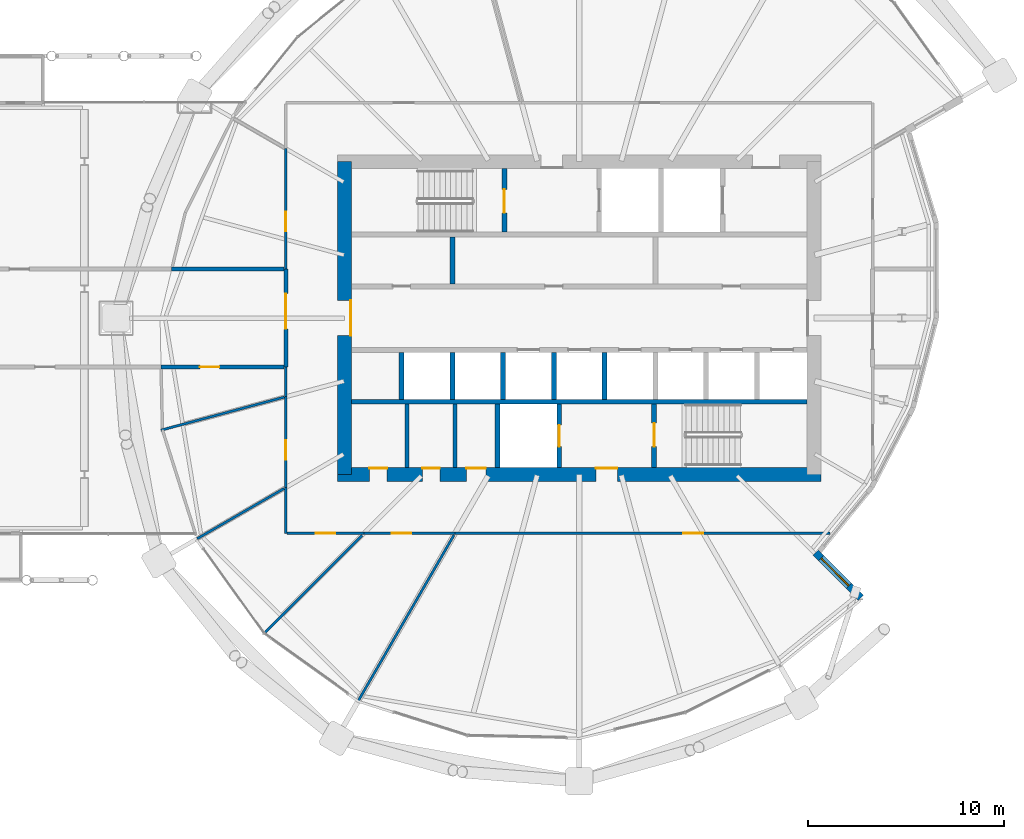
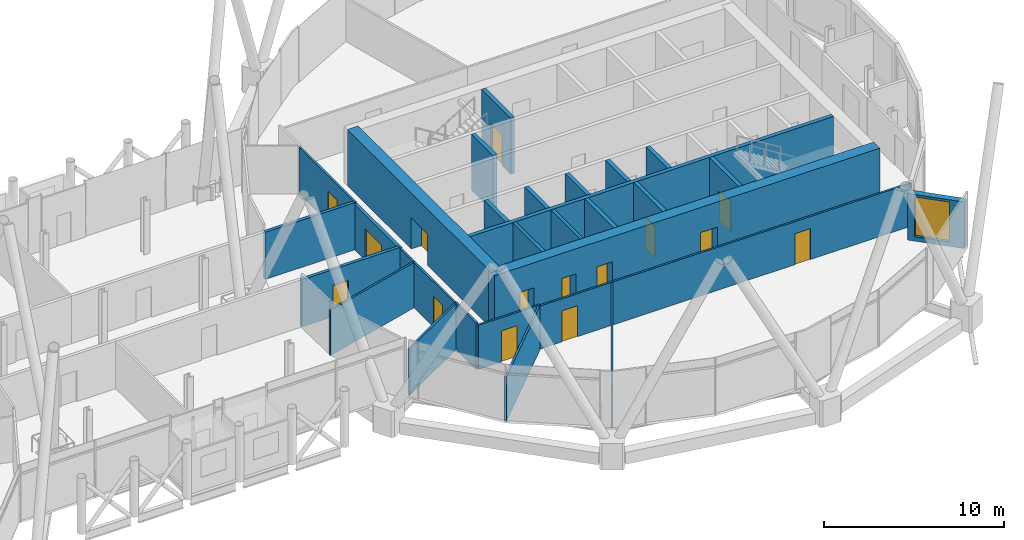
# One storey, part 27 of 35: 30 walls, 15 doors, 1 window, 16 openings.
"""IFC4 building model written with IfcOpenShell, lengths in metres."""

from ifc_helpers import new_model, si_unit, direction, frame, frame_2d, origin, place, context, subcontext, project, spatial, rectangle, extrude, material, layer, layer_set, type_object, element, fill, save


model = new_model("IFC4")

# Units and contexts
model_context = context("Model", 3, precision=1e-05, world=origin(), true_north=direction((0.0, 1.0)))
body_context = subcontext(model_context, "Body", "Model", "MODEL_VIEW")
ifc_project = project(units=[si_unit("LENGTHUNIT", "METRE"), si_unit("AREAUNIT", "SQUARE_METRE"), si_unit("VOLUMEUNIT", "CUBIC_METRE"), si_unit("PLANEANGLEUNIT", "RADIAN"), si_unit("MASSUNIT", "GRAM", prefix="KILO")], contexts=[model_context])

# Site, building, storey
site_placement = place(None, origin())
site = spatial("IfcSite", under=ifc_project, at=site_placement, CompositionType="ELEMENT")
building_placement = place(site_placement, origin())
building = spatial("IfcBuilding", under=site, at=building_placement, Name="Rimbun Link Towers", CompositionType="ELEMENT")
storey_placement = place(building_placement, frame((0.0, 0.0, 146.800048828125)))
storey = spatial("IfcBuildingStorey", under=building, at=storey_placement, Name="L35", CompositionType="ELEMENT", Elevation=146.800048828125)

# Wall, opening, window
ifc_material_1 = material(Name="Dark enamelled glass spandrel on insulated aluminium backpan", Category="aluminium")
ifc_layer_1 = layer(ifc_material_1, 0.3701171875)
ifc_layer_set_1 = layer_set([ifc_layer_1], Name="CS dark enamelled spandrel wall 370")
wall_type_1 = type_object("IfcWallType", Name="CS dark enamelled spandrel wall 370", PredefinedType="STANDARD", material=ifc_layer_set_1)
wall_1_placement = place(storey_placement, frame((43.827880859375, -11.98583984375, 0.0), z_axis=(0.0, 0.0, 1.0), x_axis=(0.707106781187, -0.707106781187, 0.0)))
wall_1 = element("IfcWall", 1, at=wall_1_placement, inside=storey, type_object=wall_type_1, Name="Crease spandrel wall", PredefinedType="STANDARD", context=body_context, shape_type="SweptSolid", body=[
    extrude(rectangle(XDim=3.280029296875, YDim=0.3701171875, at=frame_2d((1.64013671875, 0.0))), origin(), (0.0, 0.0, 1.0), 3.156494140625),
])
opening_1_placement = place(wall_1_placement, frame((0.404296875, 0.0, 0.300048828125)))
opening_1 = element("IfcOpeningElement", 2, at=opening_1_placement, cuts=wall_1, Name="Opening WR20H270", PredefinedType="OPENING", context=body_context, shape_type="SweptSolid", body=[
    extrude(rectangle(XDim=2.0, YDim=2.699951171875, at=frame_2d((1.0, 1.35009765625))), frame((0.0, 0.195068359375, 0.0), z_axis=(0.0, -1.0, 0.0), x_axis=(1.0, 0.0, 0.0)), (0.0, 0.0, 1.0), 0.39013671875),
])
ifc_material_2 = material(Name="Aluminium framed fixed window, dark tinted low-e glass", Category="aluminium")
window_type = type_object("IfcWindowType", Name="WR ribbon window 2000X2700", PartitioningType="SINGLE_PANEL", PredefinedType="WINDOW", material=ifc_material_2)
window_placement = place(opening_1_placement, origin())
window = element("IfcWindow", 3, at=window_placement, inside=storey, type_object=window_type, Name="Crease ribbon window", OverallHeight=2.699951171875, OverallWidth=2.0, PartitioningType="SINGLE_PANEL", PredefinedType="WINDOW", context=body_context, shape_type="SweptSolid", body=[
    extrude(rectangle(XDim=2.0, YDim=2.699951171875, at=frame_2d((1.0, 1.35009765625))), frame((0.0, 0.030029296875, 0.0), z_axis=(0.0, -1.0, 0.0), x_axis=(1.0, 0.0, 0.0)), (0.0, 0.0, 1.0), 0.06005859375),
])
fill(opening_1, window)

# Walls
ifc_material_3 = material(Name="Masonry blockwork", Category="masonry")
ifc_layer_2 = layer(ifc_material_3, 0.199951171875)
ifc_layer_set_2 = layer_set([ifc_layer_2], Name="Core partition 200")
wall_type_2 = type_object("IfcWallType", Name="Core partition 200", PredefinedType="PARTITIONING", material=ifc_layer_set_2)
for number, where, z_axis, x_axis, name in (
    (4, (22.949951171875, -4.39990234375, 0.0), (0.0, 0.0, 1.0), (0.0, -1.0, 0.0), "L35 T2 core wall C1"),
    (5, (25.39990234375, -4.39990234375, 0.0), (0.0, 0.0, 1.0), (0.0, -1.0, 0.0), "L35 T2 core wall C2"),
):
    element("IfcWall", number, at=place(storey_placement, frame(where, z_axis=z_axis, x_axis=x_axis)), inside=storey, type_object=wall_type_2, Name=name, PredefinedType="PARTITIONING", context=body_context, shape_type="SweptSolid", body=[
        extrude(rectangle(XDim=3.25, YDim=0.199951171875, at=frame_2d((1.625, 0.0))), origin(), (0.0, 0.0, 1.0), 3.800048828125),
    ])

# Wall, openings, doors
ifc_material_4 = material(Name="Concrete C60/75", Category="concrete")
ifc_layer_3 = layer(ifc_material_4, 0.699951171875)
ifc_layer_set_3 = layer_set([ifc_layer_3], Name="Core shear wall 700")
wall_type_3 = type_object("IfcWallType", Name="Core shear wall 700", PredefinedType="SHEAR", material=ifc_layer_set_3)
wall_2_placement = place(storey_placement, frame((19.39990234375, -8.0, 0.0), z_axis=(0.0, 0.0, 1.0), x_axis=(1.0, 0.0, 0.0)))
wall_2 = element("IfcWall", 6, at=wall_2_placement, inside=storey, type_object=wall_type_3, Name="L35 T2 core wall S", PredefinedType="SHEAR", context=body_context, shape_type="SweptSolid", body=[
    extrude(rectangle(XDim=24.7001953125, YDim=0.699951171875, at=frame_2d((12.35009765625, 0.0))), origin(), (0.0, 0.0, 1.0), 3.800048828125),
])
opening_2_placement = place(wall_2_placement, frame((13.199951171875, 0.0, 0.0)))
opening_2 = element("IfcOpeningElement", 7, at=opening_2_placement, cuts=wall_2, Name="Opening C2DCF01S", PredefinedType="OPENING", context=body_context, shape_type="SweptSolid", body=[
    extrude(rectangle(XDim=1.10009765625, YDim=2.10009765625, at=frame_2d((0.550048828125, 1.050048828125))), frame((0.0, 0.35986328125, 0.0), z_axis=(0.0, -1.0, 0.0), x_axis=(1.0, 0.0, 0.0)), (0.0, 0.0, 1.0), 0.719970703125),
])
opening_3_placement = place(wall_2_placement, frame((1.625, 0.0, 0.0)))
opening_3 = element("IfcOpeningElement", 8, at=opening_3_placement, cuts=wall_2, Name="Opening C2DWC02S", PredefinedType="OPENING", context=body_context, shape_type="SweptSolid", body=[
    extrude(rectangle(XDim=0.89990234375, YDim=2.10009765625, at=frame_2d((0.449951171875, 1.050048828125))), frame((0.0, 0.35986328125, 0.0), z_axis=(0.0, -1.0, 0.0), x_axis=(1.0, 0.0, 0.0)), (0.0, 0.0, 1.0), 0.719970703125),
])
opening_4_placement = place(wall_2_placement, frame((4.324951171875, 0.0, 0.0)))
opening_4 = element("IfcOpeningElement", 9, at=opening_4_placement, cuts=wall_2, Name="Opening C2DWC03S", PredefinedType="OPENING", context=body_context, shape_type="SweptSolid", body=[
    extrude(rectangle(XDim=0.89990234375, YDim=2.10009765625, at=frame_2d((0.449951171875, 1.050048828125))), frame((0.0, 0.35986328125, 0.0), z_axis=(0.0, -1.0, 0.0), x_axis=(1.0, 0.0, 0.0)), (0.0, 0.0, 1.0), 0.719970703125),
])
opening_5_placement = place(wall_2_placement, frame((6.574951171875, 0.0, 0.0)))
opening_5 = element("IfcOpeningElement", 10, at=opening_5_placement, cuts=wall_2, Name="Opening C2DAW04S", PredefinedType="OPENING", context=body_context, shape_type="SweptSolid", body=[
    extrude(rectangle(XDim=1.0, YDim=2.10009765625, at=frame_2d((0.5, 1.050048828125))), frame((0.0, 0.35986328125, 0.0), z_axis=(0.0, -1.0, 0.0), x_axis=(1.0, 0.0, 0.0)), (0.0, 0.0, 1.0), 0.719970703125),
])
ifc_material_5 = material(Name="Timber", Category="wood")
door_type_1 = type_object("IfcDoorType", Name="Accessible WC door", OperationType="SINGLE_SWING_LEFT", PredefinedType="DOOR", material=ifc_material_5)
door_1_placement = place(opening_5_placement, origin())
door_1 = element("IfcDoor", 11, at=door_1_placement, inside=storey, type_object=door_type_1, Name="L35 T2 accessible wc door", OperationType="SINGLE_SWING_RIGHT", OverallHeight=2.10009765625, OverallWidth=1.0, PredefinedType="DOOR", context=body_context, shape_type="SweptSolid", body=[
    extrude(rectangle(XDim=1.0, YDim=2.10009765625, at=frame_2d((0.5, 1.050048828125))), frame((0.0, 0.35009765625, 0.0), z_axis=(0.0, -1.0, 0.0), x_axis=(1.0, 0.0, 0.0)), (0.0, 0.0, 1.0), 0.050048828125),
])
fill(opening_5, door_1)
ifc_material_6 = material(Name="Steel fire door set", Category="steel")
door_type_2 = type_object("IfcDoorType", Name="Core fire door single", OperationType="SINGLE_SWING_LEFT", PredefinedType="DOOR", material=ifc_material_6)
door_2_placement = place(opening_2_placement, origin())
door_2 = element("IfcDoor", 12, at=door_2_placement, inside=storey, type_object=door_type_2, Name="L35 T2 firefighting lobby s door", OperationType="SINGLE_SWING_RIGHT", OverallHeight=2.10009765625, OverallWidth=1.10009765625, PredefinedType="DOOR", context=body_context, shape_type="SweptSolid", body=[
    extrude(rectangle(XDim=1.10009765625, YDim=2.10009765625, at=frame_2d((0.550048828125, 1.050048828125))), frame((0.0, 0.35009765625, 0.0), z_axis=(0.0, -1.0, 0.0), x_axis=(1.0, 0.0, 0.0)), (0.0, 0.0, 1.0), 0.050048828125),
])
fill(opening_2, door_2)
ifc_material_7 = material(Name="Timber", Category="wood")
door_type_3 = type_object("IfcDoorType", Name="WC door", OperationType="SINGLE_SWING_LEFT", PredefinedType="DOOR", material=ifc_material_7)
door_3_placement = place(opening_3_placement, origin())
door_3 = element("IfcDoor", 13, at=door_3_placement, inside=storey, type_object=door_type_3, Name="L35 T2 male wc door", OperationType="SINGLE_SWING_LEFT", OverallHeight=2.10009765625, OverallWidth=0.89990234375, PredefinedType="DOOR", context=body_context, shape_type="SweptSolid", body=[
    extrude(rectangle(XDim=0.89990234375, YDim=2.10009765625, at=frame_2d((0.449951171875, 1.050048828125))), frame((0.0, 0.35009765625, 0.0), z_axis=(0.0, -1.0, 0.0), x_axis=(1.0, 0.0, 0.0)), (0.0, 0.0, 1.0), 0.050048828125),
])
fill(opening_3, door_3)
door_4_placement = place(opening_4_placement, origin())
door_4 = element("IfcDoor", 14, at=door_4_placement, inside=storey, type_object=door_type_3, Name="L35 T2 female wc door", OperationType="SINGLE_SWING_RIGHT", OverallHeight=2.10009765625, OverallWidth=0.89990234375, PredefinedType="DOOR", context=body_context, shape_type="SweptSolid", body=[
    extrude(rectangle(XDim=0.89990234375, YDim=2.10009765625, at=frame_2d((0.449951171875, 1.050048828125))), frame((0.0, 0.35009765625, 0.0), z_axis=(0.0, -1.0, 0.0), x_axis=(1.0, 0.0, 0.0)), (0.0, 0.0, 1.0), 0.050048828125),
])
fill(opening_4, door_4)

# Wall, opening, door
wall_3_placement = place(storey_placement, frame((19.75, -8.0, 0.0), z_axis=(0.0, 0.0, 1.0), x_axis=(0.0, 1.0, 0.0)))
wall_3 = element("IfcWall", 15, at=wall_3_placement, inside=storey, type_object=wall_type_3, Name="L35 T2 core wall W", PredefinedType="SHEAR", context=body_context, shape_type="SweptSolid", body=[
    extrude(rectangle(XDim=16.0, YDim=0.699951171875, at=frame_2d((8.0, 0.0))), origin(), (0.0, 0.0, 1.0), 3.800048828125),
])
opening_6_placement = place(wall_3_placement, frame((7.10009765625, 0.0, 0.0)))
opening_6 = element("IfcOpeningElement", 16, at=opening_6_placement, cuts=wall_3, Name="Opening C2DCL01W", PredefinedType="OPENING", context=body_context, shape_type="SweptSolid", body=[
    extrude(rectangle(XDim=1.800048828125, YDim=2.10009765625, at=frame_2d((0.89990234375, 1.050048828125))), frame((0.0, 0.35986328125, 0.0), z_axis=(0.0, -1.0, 0.0), x_axis=(1.0, 0.0, 0.0)), (0.0, 0.0, 1.0), 0.719970703125),
])
ifc_material_8 = material(Name="Steel fire door set", Category="steel")
door_type_4 = type_object("IfcDoorType", Name="Core lobby door double", OperationType="DOUBLE_DOOR_SINGLE_SWING", PredefinedType="DOOR", material=ifc_material_8)
door_5_placement = place(opening_6_placement, origin())
door_5 = element("IfcDoor", 17, at=door_5_placement, inside=storey, type_object=door_type_4, Name="L35 T2 lift lobby door", OperationType="DOUBLE_DOOR_SINGLE_SWING", OverallHeight=2.10009765625, OverallWidth=1.800048828125, PredefinedType="DOOR", context=body_context, shape_type="SweptSolid", body=[
    extrude(rectangle(XDim=1.800048828125, YDim=2.10009765625, at=frame_2d((0.89990234375, 1.050048828125))), frame((0.0, -0.2998046875, 0.0), z_axis=(0.0, -1.0, 0.0), x_axis=(1.0, 0.0, 0.0)), (0.0, 0.0, 1.0), 0.050048828125),
])
fill(opening_6, door_5)

ifc_material_9 = material(Name="Concrete blockwork", Category="masonry")
ifc_layer_4 = layer(ifc_material_9, 0.199951171875)
ifc_layer_set_4 = layer_set([ifc_layer_4], Name="Fire partition 200 blockwork")
wall_type_4 = type_object("IfcWallType", Name="Fire partition 200 blockwork", PredefinedType="PARTITIONING", material=ifc_layer_set_4)
wall_4_placement = place(storey_placement, frame((16.75, 2.5, 0.0), z_axis=(0.0, 0.0, 1.0), x_axis=(0.0, -1.0, 0.0)))
wall_4 = element("IfcWall", 18, at=wall_4_placement, inside=storey, type_object=wall_type_4, Name="TW/PW/L35/034", PredefinedType="PARTITIONING", context=body_context, shape_type="SweptSolid", body=[
    extrude(rectangle(XDim=5.0, YDim=0.199951171875, at=frame_2d((2.5, 0.0))), origin(), (0.0, 0.0, 1.0), 3.06689453125),
])
opening_7_placement = place(wall_4_placement, frame((1.2548828125, 0.0, 0.0)))
opening_7 = element("IfcOpeningElement", 19, at=opening_7_placement, cuts=wall_4, Name="Opening TW D35.26", PredefinedType="OPENING", context=body_context, shape_type="SweptSolid", body=[
    extrude(rectangle(XDim=1.800048828125, YDim=2.10009765625, at=frame_2d((0.89990234375, 1.050048828125))), frame((0.0, 0.10986328125, 0.0), z_axis=(0.0, -1.0, 0.0), x_axis=(1.0, 0.0, 0.0)), (0.0, 0.0, 1.0), 0.219970703125),
])
ifc_material_10 = material(Name="Steel fire door set", Category="steel")
door_type_5 = type_object("IfcDoorType", Name="Fire door double leaf 1800 x 2100", OperationType="NOTDEFINED", PredefinedType="DOOR", material=ifc_material_10)
door_6_placement = place(opening_7_placement, origin())
door_6 = element("IfcDoor", 20, at=door_6_placement, inside=storey, type_object=door_type_5, Name="TW/DR/L35/026", OperationType="DOUBLE_DOOR_SINGLE_SWING", OverallHeight=2.10009765625, OverallWidth=1.800048828125, PredefinedType="DOOR", context=body_context, shape_type="SweptSolid", body=[
    extrude(rectangle(XDim=1.800048828125, YDim=2.10009765625, at=frame_2d((0.89990234375, 1.050048828125))), frame((0.0, 0.02490234375, 0.0), z_axis=(0.0, -1.0, 0.0), x_axis=(1.0, 0.0, 0.0)), (0.0, 0.0, 1.0), 0.050048828125),
])
fill(opening_7, door_6)

wall_5_placement = place(storey_placement, frame((10.37158203125, -2.5, 0.0), z_axis=(0.0, 0.0, 1.0), x_axis=(1.0, 0.0, 0.0)))
wall_5 = element("IfcWall", 21, at=wall_5_placement, inside=storey, type_object=wall_type_4, Name="TW/PW/L35/050", PredefinedType="PARTITIONING", context=body_context, shape_type="SweptSolid", body=[
    extrude(rectangle(XDim=6.2783203125, YDim=0.199951171875, at=frame_2d((3.13916015625, 0.0))), origin(), (0.0, 0.0, 1.0), 3.19384765625),
])
opening_8_placement = place(wall_5_placement, frame((1.98193359375, 0.0, 0.0)))
opening_8 = element("IfcOpeningElement", 22, at=opening_8_placement, cuts=wall_5, Name="Opening TW D35.17", PredefinedType="OPENING", context=body_context, shape_type="SweptSolid", body=[
    extrude(rectangle(XDim=1.0, YDim=2.10009765625, at=frame_2d((0.5, 1.050048828125))), frame((0.0, 0.10986328125, 0.0), z_axis=(0.0, -1.0, 0.0), x_axis=(1.0, 0.0, 0.0)), (0.0, 0.0, 1.0), 0.219970703125),
])
ifc_material_11 = material(Name="Steel fire door set", Category="steel")
door_type_6 = type_object("IfcDoorType", Name="Fire door single leaf 1000 x 2100", OperationType="NOTDEFINED", PredefinedType="DOOR", material=ifc_material_11)
door_7_placement = place(opening_8_placement, origin())
door_7 = element("IfcDoor", 23, at=door_7_placement, inside=storey, type_object=door_type_6, Name="TW/DR/L35/017", OperationType="SINGLE_SWING_RIGHT", OverallHeight=2.10009765625, OverallWidth=1.0, PredefinedType="DOOR", context=body_context, shape_type="SweptSolid", body=[
    extrude(rectangle(XDim=1.0, YDim=2.10009765625, at=frame_2d((0.5, 1.050048828125))), frame((0.0, 0.02490234375, 0.0), z_axis=(0.0, -1.0, 0.0), x_axis=(1.0, 0.0, 0.0)), (0.0, 0.0, 1.0), 0.050048828125),
])
fill(opening_8, door_7)

# Wall
wall_6_placement = place(storey_placement, frame((16.64990234375, 2.5, 0.0), z_axis=(0.0, 0.0, 1.0), x_axis=(-1.0, 0.0, 0.0)))
element("IfcWall", 24, at=wall_6_placement, inside=storey, type_object=wall_type_4, Name="TW/PW/L35/051", PredefinedType="PARTITIONING", context=body_context, shape_type="SweptSolid", body=[
    extrude(rectangle(XDim=5.733154296875, YDim=0.199951171875, at=frame_2d((2.86669921875, 0.0))), origin(), (0.0, 0.0, 1.0), 3.19384765625),
])

# Wall, opening, door
ifc_material_12 = material(Name="Gypsum board on steel studs", Category="steel")
ifc_layer_5 = layer(ifc_material_12, 0.125)
ifc_layer_set_5 = layer_set([ifc_layer_5], Name="Partition 125 board on studs")
wall_type_5 = type_object("IfcWallType", Name="Partition 125 board on studs", PredefinedType="PARTITIONING", material=ifc_layer_set_5)
wall_7_placement = place(storey_placement, frame((16.75, -4.019287109375, 0.0), z_axis=(0.0, 0.0, 1.0), x_axis=(0.0, -1.0, 0.0)))
wall_7 = element("IfcWall", 25, at=wall_7_placement, inside=storey, type_object=wall_type_5, Name="TW/PW/L35/035", PredefinedType="PARTITIONING", context=body_context, shape_type="SweptSolid", body=[
    extrude(rectangle(XDim=4.64111328125, YDim=0.125, at=frame_2d((2.320556640625, 0.0))), origin(), (0.0, 0.0, 1.0), 3.06689453125),
])
opening_9_placement = place(wall_7_placement, frame((2.23193359375, 0.0, 0.0)))
opening_9 = element("IfcOpeningElement", 26, at=opening_9_placement, cuts=wall_7, Name="Opening TW D35.09", PredefinedType="OPENING", context=body_context, shape_type="SweptSolid", body=[
    extrude(rectangle(XDim=1.0, YDim=2.10009765625, at=frame_2d((0.5, 1.050048828125))), frame((0.0, 0.072509765625, 0.0), z_axis=(0.0, -1.0, 0.0), x_axis=(1.0, 0.0, 0.0)), (0.0, 0.0, 1.0), 0.14501953125),
])
ifc_material_13 = material(Name="Timber door set", Category="wood")
door_type_7 = type_object("IfcDoorType", Name="Door single leaf 1000 x 2100", OperationType="NOTDEFINED", PredefinedType="DOOR", material=ifc_material_13)
door_8_placement = place(opening_9_placement, origin())
door_8 = element("IfcDoor", 27, at=door_8_placement, inside=storey, type_object=door_type_7, Name="TW/DR/L35/009", OperationType="SINGLE_SWING_RIGHT", OverallHeight=2.10009765625, OverallWidth=1.0, PredefinedType="DOOR", context=body_context, shape_type="SweptSolid", body=[
    extrude(rectangle(XDim=1.0, YDim=2.10009765625, at=frame_2d((0.5, 1.050048828125))), frame((0.0, 0.02490234375, 0.0), z_axis=(0.0, -1.0, 0.0), x_axis=(1.0, 0.0, 0.0)), (0.0, 0.0, 1.0), 0.050048828125),
])
fill(opening_9, door_8)

# Wall
wall_8_placement = place(storey_placement, frame((16.75, -8.660400390625, 0.0), z_axis=(0.0, 0.0, 1.0), x_axis=(0.0, -1.0, 0.0)))
element("IfcWall", 28, at=wall_8_placement, inside=storey, type_object=wall_type_5, Name="TW/PW/L35/036", PredefinedType="PARTITIONING", context=body_context, shape_type="SweptSolid", body=[
    extrude(rectangle(XDim=2.339599609375, YDim=0.125, at=frame_2d((1.169921875, 0.0))), origin(), (0.0, 0.0, 1.0), 3.14697265625),
])

# Wall, opening, door
wall_9_placement = place(storey_placement, frame((16.8125, -11.0, 0.0), z_axis=(0.0, 0.0, 1.0), x_axis=(1.0, 0.0, 0.0)))
wall_9 = element("IfcWall", 29, at=wall_9_placement, inside=storey, type_object=wall_type_5, Name="TW/PW/L35/037", PredefinedType="PARTITIONING", context=body_context, shape_type="SweptSolid", body=[
    extrude(rectangle(XDim=3.9375, YDim=0.125, at=frame_2d((1.96875, 0.0))), origin(), (0.0, 0.0, 1.0), 2.9970703125),
])
opening_10_placement = place(wall_9_placement, frame((1.468994140625, 0.0, 0.0)))
opening_10 = element("IfcOpeningElement", 30, at=opening_10_placement, cuts=wall_9, Name="Opening TW D35.10", PredefinedType="OPENING", context=body_context, shape_type="SweptSolid", body=[
    extrude(rectangle(XDim=1.0, YDim=2.10009765625, at=frame_2d((0.5, 1.050048828125))), frame((0.0, 0.072509765625, 0.0), z_axis=(0.0, -1.0, 0.0), x_axis=(1.0, 0.0, 0.0)), (0.0, 0.0, 1.0), 0.14501953125),
])
door_9_placement = place(opening_10_placement, origin())
door_9 = element("IfcDoor", 31, at=door_9_placement, inside=storey, type_object=door_type_7, Name="TW/DR/L35/010", OperationType="SINGLE_SWING_LEFT", OverallHeight=2.10009765625, OverallWidth=1.0, PredefinedType="DOOR", context=body_context, shape_type="SweptSolid", body=[
    extrude(rectangle(XDim=1.0, YDim=2.10009765625, at=frame_2d((0.5, 1.050048828125))), frame((0.0, 0.02490234375, 0.0), z_axis=(0.0, -1.0, 0.0), x_axis=(1.0, 0.0, 0.0)), (0.0, 0.0, 1.0), 0.050048828125),
])
fill(opening_10, door_9)

wall_10_placement = place(storey_placement, frame((20.75, -11.0, 0.0), z_axis=(0.0, 0.0, 1.0), x_axis=(1.0, 0.0, 0.0)))
wall_10 = element("IfcWall", 32, at=wall_10_placement, inside=storey, type_object=wall_type_5, Name="TW/PW/L35/038", PredefinedType="PARTITIONING", context=body_context, shape_type="SweptSolid", body=[
    extrude(rectangle(XDim=4.649169921875, YDim=0.125, at=frame_2d((2.32470703125, 0.0))), origin(), (0.0, 0.0, 1.0), 2.916015625),
])
opening_11_placement = place(wall_10_placement, frame((1.412109375, 0.0, 0.0)))
opening_11 = element("IfcOpeningElement", 33, at=opening_11_placement, cuts=wall_10, Name="Opening TW D35.11", PredefinedType="OPENING", context=body_context, shape_type="SweptSolid", body=[
    extrude(rectangle(XDim=1.0, YDim=2.10009765625, at=frame_2d((0.5, 1.050048828125))), frame((0.0, 0.072509765625, 0.0), z_axis=(0.0, -1.0, 0.0), x_axis=(1.0, 0.0, 0.0)), (0.0, 0.0, 1.0), 0.14501953125),
])
door_10_placement = place(opening_11_placement, origin())
door_10 = element("IfcDoor", 34, at=door_10_placement, inside=storey, type_object=door_type_7, Name="TW/DR/L35/011", OperationType="SINGLE_SWING_RIGHT", OverallHeight=2.10009765625, OverallWidth=1.0, PredefinedType="DOOR", context=body_context, shape_type="SweptSolid", body=[
    extrude(rectangle(XDim=1.0, YDim=2.10009765625, at=frame_2d((0.5, 1.050048828125))), frame((0.0, 0.02490234375, 0.0), z_axis=(0.0, -1.0, 0.0), x_axis=(1.0, 0.0, 0.0)), (0.0, 0.0, 1.0), 0.050048828125),
])
fill(opening_11, door_10)

wall_11_placement = place(storey_placement, frame((25.399169921875, -11.0, 0.0), z_axis=(0.0, 0.0, 1.0), x_axis=(1.0, 0.0, 0.0)))
wall_11 = element("IfcWall", 35, at=wall_11_placement, inside=storey, type_object=wall_type_5, Name="TW/PW/L35/039", PredefinedType="PARTITIONING", context=body_context, shape_type="SweptSolid", body=[
    extrude(rectangle(XDim=19.176513671875, YDim=0.125, at=frame_2d((9.58837890625, 0.0))), origin(), (0.0, 0.0, 1.0), 2.916015625),
])
opening_12_placement = place(wall_11_placement, frame((11.679931640625, 0.0, 0.0)))
opening_12 = element("IfcOpeningElement", 36, at=opening_12_placement, cuts=wall_11, Name="Opening TW D35.12", PredefinedType="OPENING", context=body_context, shape_type="SweptSolid", body=[
    extrude(rectangle(XDim=1.0, YDim=2.10009765625, at=frame_2d((0.5, 1.050048828125))), frame((0.0, 0.072509765625, 0.0), z_axis=(0.0, -1.0, 0.0), x_axis=(1.0, 0.0, 0.0)), (0.0, 0.0, 1.0), 0.14501953125),
])
door_11_placement = place(opening_12_placement, origin())
door_11 = element("IfcDoor", 37, at=door_11_placement, inside=storey, type_object=door_type_7, Name="TW/DR/L35/012", OperationType="SINGLE_SWING_LEFT", OverallHeight=2.10009765625, OverallWidth=1.0, PredefinedType="DOOR", context=body_context, shape_type="SweptSolid", body=[
    extrude(rectangle(XDim=1.0, YDim=2.10009765625, at=frame_2d((0.5, 1.050048828125))), frame((0.0, 0.02490234375, 0.0), z_axis=(0.0, -1.0, 0.0), x_axis=(1.0, 0.0, 0.0)), (0.0, 0.0, 1.0), 0.050048828125),
])
fill(opening_12, door_11)

# Wall
wall_12_placement = place(storey_placement, frame((16.75, -2.5, 0.0), z_axis=(0.0, 0.0, 1.0), x_axis=(0.0, -1.0, 0.0)))
element("IfcWall", 38, at=wall_12_placement, inside=storey, type_object=wall_type_5, Name="TW/PW/L35/046", PredefinedType="PARTITIONING", context=body_context, shape_type="SweptSolid", body=[
    extrude(rectangle(XDim=1.519287109375, YDim=0.125, at=frame_2d((0.759765625, 0.0))), origin(), (0.0, 0.0, 1.0), 3.06689453125),
])

# Wall, opening, door
wall_13_placement = place(storey_placement, frame((16.75, 8.660400390625, 0.0), z_axis=(0.0, 0.0, 1.0), x_axis=(0.0, -1.0, 0.0)))
wall_13 = element("IfcWall", 39, at=wall_13_placement, inside=storey, type_object=wall_type_5, Name="TW/PW/L35/047", PredefinedType="PARTITIONING", context=body_context, shape_type="SweptSolid", body=[
    extrude(rectangle(XDim=6.160400390625, YDim=0.125, at=frame_2d((3.080078125, 0.0))), origin(), (0.0, 0.0, 1.0), 3.14697265625),
])
opening_13_placement = place(wall_13_placement, frame((3.218994140625, 0.0, 0.0)))
opening_13 = element("IfcOpeningElement", 40, at=opening_13_placement, cuts=wall_13, Name="Opening TW D35.18", PredefinedType="OPENING", context=body_context, shape_type="SweptSolid", body=[
    extrude(rectangle(XDim=1.0, YDim=2.10009765625, at=frame_2d((0.5, 1.050048828125))), frame((0.0, 0.072509765625, 0.0), z_axis=(0.0, -1.0, 0.0), x_axis=(1.0, 0.0, 0.0)), (0.0, 0.0, 1.0), 0.14501953125),
])
door_12_placement = place(opening_13_placement, origin())
door_12 = element("IfcDoor", 41, at=door_12_placement, inside=storey, type_object=door_type_7, Name="TW/DR/L35/018", OperationType="SINGLE_SWING_LEFT", OverallHeight=2.10009765625, OverallWidth=1.0, PredefinedType="DOOR", context=body_context, shape_type="SweptSolid", body=[
    extrude(rectangle(XDim=1.0, YDim=2.10009765625, at=frame_2d((0.5, 1.050048828125))), frame((0.0, 0.02490234375, 0.0), z_axis=(0.0, -1.0, 0.0), x_axis=(1.0, 0.0, 0.0)), (0.0, 0.0, 1.0), 0.050048828125),
])
fill(opening_13, door_12)

# Walls
wall_14_placement = place(storey_placement, frame((12.210693359375, -11.281005859375, 0.0), z_axis=(0.0, 0.0, 1.0), x_axis=(0.866024807616, 0.500001032592, 0.0)))
element("IfcWall", 42, at=wall_14_placement, inside=storey, type_object=wall_type_5, Name="TW/PW/L35/052", PredefinedType="PARTITIONING", context=body_context, shape_type="SweptSolid", body=[
    extrude(rectangle(XDim=5.13330078125, YDim=0.125, at=frame_2d((2.566650390625, 0.0))), origin(), (0.0, 0.0, 1.0), 3.14697265625),
])
wall_15_placement = place(storey_placement, frame((16.67138671875, -4.040283203125, 0.0), z_axis=(0.0, 0.0, 1.0), x_axis=(-0.965924695018, -0.258823267025, 0.0)))
element("IfcWall", 43, at=wall_15_placement, inside=storey, type_object=wall_type_5, Name="TW/PW/L35/053", PredefinedType="PARTITIONING", context=body_context, shape_type="SweptSolid", body=[
    extrude(rectangle(XDim=6.5322265625, YDim=0.125, at=frame_2d((3.26611328125, 0.0))), origin(), (0.0, 0.0, 1.0), 3.06689453125),
])
wall_16_placement = place(storey_placement, frame((15.604248046875, -16.145751953125, 0.0), z_axis=(0.0, 0.0, 1.0), x_axis=(0.707106781187, 0.707106781187, 0.0)))
element("IfcWall", 44, at=wall_16_placement, inside=storey, type_object=wall_type_5, Name="TW/PW/L35/055", PredefinedType="PARTITIONING", context=body_context, shape_type="SweptSolid", body=[
    extrude(rectangle(XDim=7.126220703125, YDim=0.125, at=frame_2d((3.56298828125, 0.0))), origin(), (0.0, 0.0, 1.0), 2.9970703125),
])
wall_17_placement = place(storey_placement, frame((20.428955078125, -19.608642578125, 0.0), z_axis=(0.0, 0.0, 1.0), x_axis=(0.499995431007, 0.866028041678, 0.0)))
element("IfcWall", 45, at=wall_17_placement, inside=storey, type_object=wall_type_5, Name="TW/PW/L35/056", PredefinedType="PARTITIONING", context=body_context, shape_type="SweptSolid", body=[
    extrude(rectangle(XDim=9.83203125, YDim=0.125, at=frame_2d((4.916015625, 0.0))), origin(), (0.0, 0.0, 1.0), 2.916015625),
])
ifc_material_14 = material(Name="Concrete C60/75", Category="concrete")
ifc_layer_6 = layer(ifc_material_14, 0.25)
ifc_layer_set_6 = layer_set([ifc_layer_6], Name="Shaft wall 250")
wall_type_6 = type_object("IfcWallType", Name="Shaft wall 250", PredefinedType="SHEAR", material=ifc_layer_set_6)
wall_18_placement = place(storey_placement, frame((20.10009765625, -4.27490234375, 0.0), z_axis=(0.0, 0.0, 1.0), x_axis=(1.0, 0.0, 0.0)))
element("IfcWall", 46, at=wall_18_placement, inside=storey, type_object=wall_type_6, Name="L35 T2 core wall BS", PredefinedType="SHEAR", context=body_context, shape_type="SweptSolid", body=[
    extrude(rectangle(XDim=23.2998046875, YDim=0.25, at=frame_2d((11.64990234375, 0.0))), origin(), (0.0, 0.0, 1.0), 3.800048828125),
])
for number, where, z_axis, x_axis, name in (
    (47, (25.263916015625, 1.75, 0.0), (0.0, 0.0, 1.0), (0.0, 1.0, 0.0), "L35 T2 core wall DN1"),
    (48, (22.66943359375, -4.14990234375, 0.0), (0.0, 0.0, 1.0), (0.0, 1.0, 0.0), "L35 T2 core wall DS0"),
    (49, (25.263916015625, -4.14990234375, 0.0), (0.0, 0.0, 1.0), (0.0, 1.0, 0.0), "L35 T2 core wall DS1"),
    (50, (27.8583984375, -4.14990234375, 0.0), (0.0, 0.0, 1.0), (0.0, 1.0, 0.0), "L35 T2 core wall DS2"),
    (51, (30.452880859375, -4.14990234375, 0.0), (0.0, 0.0, 1.0), (0.0, 1.0, 0.0), "L35 T2 core wall DS3"),
    (52, (33.047119140625, -4.14990234375, 0.0), (0.0, 0.0, 1.0), (0.0, 1.0, 0.0), "L35 T2 core wall DS4"),
):
    element("IfcWall", number, at=place(storey_placement, frame(where, z_axis=z_axis, x_axis=x_axis)), inside=storey, type_object=wall_type_6, Name=name, PredefinedType="SHEAR", context=body_context, shape_type="SweptSolid", body=[
        extrude(rectangle(XDim=2.39990234375, YDim=0.25, at=frame_2d((1.199951171875, 0.0))), origin(), (0.0, 0.0, 1.0), 3.800048828125),
    ])

# Wall, opening, door
wall_19_placement = place(storey_placement, frame((27.925048828125, 4.39990234375, 0.0), z_axis=(0.0, 0.0, 1.0), x_axis=(0.0, 1.0, 0.0)))
wall_19 = element("IfcWall", 53, at=wall_19_placement, inside=storey, type_object=wall_type_6, Name="L35 T2 core wall A1", PredefinedType="SHEAR", context=body_context, shape_type="SweptSolid", body=[
    extrude(rectangle(XDim=3.25, YDim=0.25, at=frame_2d((1.625, 0.0))), origin(), (0.0, 0.0, 1.0), 3.800048828125),
])
opening_14_placement = place(wall_19_placement, frame((0.97509765625, 0.0, 0.0)))
opening_14 = element("IfcOpeningElement", 54, at=opening_14_placement, cuts=wall_19, Name="Opening C2DST01A1", PredefinedType="OPENING", context=body_context, shape_type="SweptSolid", body=[
    extrude(rectangle(XDim=1.199951171875, YDim=2.10009765625, at=frame_2d((0.60009765625, 1.050048828125))), frame((0.0, 0.135009765625, 0.0), z_axis=(0.0, -1.0, 0.0), x_axis=(1.0, 0.0, 0.0)), (0.0, 0.0, 1.0), 0.27001953125),
])
ifc_material_15 = material(Name="Steel fire door set", Category="steel")
door_type_8 = type_object("IfcDoorType", Name="Stair door", OperationType="SINGLE_SWING_LEFT", PredefinedType="DOOR", material=ifc_material_15)
door_13_placement = place(opening_14_placement, origin())
door_13 = element("IfcDoor", 55, at=door_13_placement, inside=storey, type_object=door_type_8, Name="L35 T2 stair a door", OperationType="SINGLE_SWING_RIGHT", OverallHeight=2.10009765625, OverallWidth=1.199951171875, PredefinedType="DOOR", context=body_context, shape_type="SweptSolid", body=[
    extrude(rectangle(XDim=1.199951171875, YDim=2.10009765625, at=frame_2d((0.60009765625, 1.050048828125))), frame((0.0, 0.02490234375, 0.0), z_axis=(0.0, -1.0, 0.0), x_axis=(1.0, 0.0, 0.0)), (0.0, 0.0, 1.0), 0.050048828125),
])
fill(opening_14, door_13)

wall_20_placement = place(storey_placement, frame((35.574951171875, -4.39990234375, 0.0), z_axis=(0.0, 0.0, 1.0), x_axis=(0.0, -1.0, 0.0)))
wall_20 = element("IfcWall", 56, at=wall_20_placement, inside=storey, type_object=wall_type_6, Name="L35 T2 core wall B1", PredefinedType="SHEAR", context=body_context, shape_type="SweptSolid", body=[
    extrude(rectangle(XDim=3.25, YDim=0.25, at=frame_2d((1.625, 0.0))), origin(), (0.0, 0.0, 1.0), 3.800048828125),
])
opening_15_placement = place(wall_20_placement, frame((0.97509765625, 0.0, 0.0)))
opening_15 = element("IfcOpeningElement", 57, at=opening_15_placement, cuts=wall_20, Name="Opening C2DST01B1", PredefinedType="OPENING", context=body_context, shape_type="SweptSolid", body=[
    extrude(rectangle(XDim=1.199951171875, YDim=2.10009765625, at=frame_2d((0.60009765625, 1.050048828125))), frame((0.0, 0.135009765625, 0.0), z_axis=(0.0, -1.0, 0.0), x_axis=(1.0, 0.0, 0.0)), (0.0, 0.0, 1.0), 0.27001953125),
])
door_14_placement = place(opening_15_placement, origin())
door_14 = element("IfcDoor", 58, at=door_14_placement, inside=storey, type_object=door_type_8, Name="L35 T2 stair b door", OperationType="SINGLE_SWING_RIGHT", OverallHeight=2.10009765625, OverallWidth=1.199951171875, PredefinedType="DOOR", context=body_context, shape_type="SweptSolid", body=[
    extrude(rectangle(XDim=1.199951171875, YDim=2.10009765625, at=frame_2d((0.60009765625, 1.050048828125))), frame((0.0, 0.02490234375, 0.0), z_axis=(0.0, -1.0, 0.0), x_axis=(1.0, 0.0, 0.0)), (0.0, 0.0, 1.0), 0.050048828125),
])
fill(opening_15, door_14)

wall_21_placement = place(storey_placement, frame((30.72509765625, -4.39990234375, 0.0), z_axis=(0.0, 0.0, 1.0), x_axis=(0.0, -1.0, 0.0)))
wall_21 = element("IfcWall", 59, at=wall_21_placement, inside=storey, type_object=wall_type_6, Name="L35 T2 core wall B2", PredefinedType="SHEAR", context=body_context, shape_type="SweptSolid", body=[
    extrude(rectangle(XDim=3.25, YDim=0.25, at=frame_2d((1.625, 0.0))), origin(), (0.0, 0.0, 1.0), 3.800048828125),
])
opening_16_placement = place(wall_21_placement, frame((1.074951171875, 0.0, 0.0)))
opening_16 = element("IfcOpeningElement", 60, at=opening_16_placement, cuts=wall_21, Name="Opening LD-T2-FF2", PredefinedType="OPENING", context=body_context, shape_type="SweptSolid", body=[
    extrude(rectangle(XDim=1.10009765625, YDim=2.10009765625, at=frame_2d((0.550048828125, 1.050048828125))), frame((0.0, 0.135009765625, 0.0), z_axis=(0.0, -1.0, 0.0), x_axis=(1.0, 0.0, 0.0)), (0.0, 0.0, 1.0), 0.27001953125),
])
ifc_material_16 = material(Name="Stainless steel grade 316", Category="steel")
door_type_9 = type_object("IfcDoorType", Name="Lift landing door", OperationType="DOUBLE_DOOR_SLIDING", PredefinedType="DOOR", material=ifc_material_16)
door_15_placement = place(opening_16_placement, origin())
door_15 = element("IfcDoor", 61, at=door_15_placement, inside=storey, type_object=door_type_9, Name="L35 T2 lift FF2 landing door", OperationType="DOUBLE_DOOR_SLIDING", OverallHeight=2.10009765625, OverallWidth=1.10009765625, PredefinedType="DOOR", context=body_context, shape_type="SweptSolid", body=[
    extrude(rectangle(XDim=1.10009765625, YDim=2.10009765625, at=frame_2d((0.550048828125, 1.050048828125))), frame((0.0, 0.02490234375, 0.0), z_axis=(0.0, -1.0, 0.0), x_axis=(1.0, 0.0, 0.0)), (0.0, 0.0, 1.0), 0.050048828125),
])
fill(opening_16, door_15)

# Wall
wall_22_placement = place(storey_placement, frame((27.574951171875, -4.39990234375, 0.0), z_axis=(0.0, 0.0, 1.0), x_axis=(0.0, -1.0, 0.0)))
element("IfcWall", 62, at=wall_22_placement, inside=storey, type_object=wall_type_6, Name="L35 T2 core wall B3", PredefinedType="SHEAR", context=body_context, shape_type="SweptSolid", body=[
    extrude(rectangle(XDim=3.25, YDim=0.25, at=frame_2d((1.625, 0.0))), origin(), (0.0, 0.0, 1.0), 3.800048828125),
])

save(model, "model.ifc")
